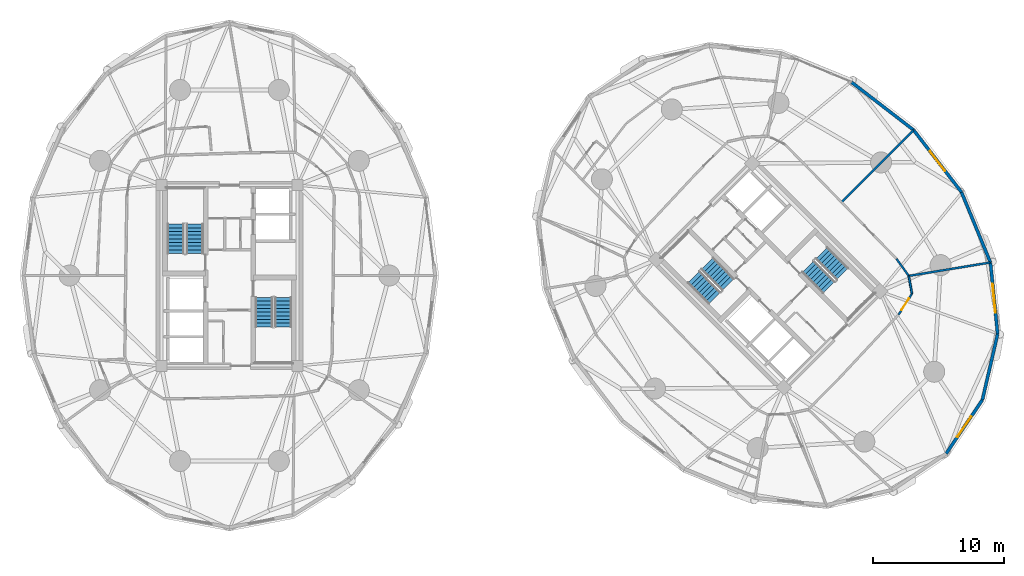
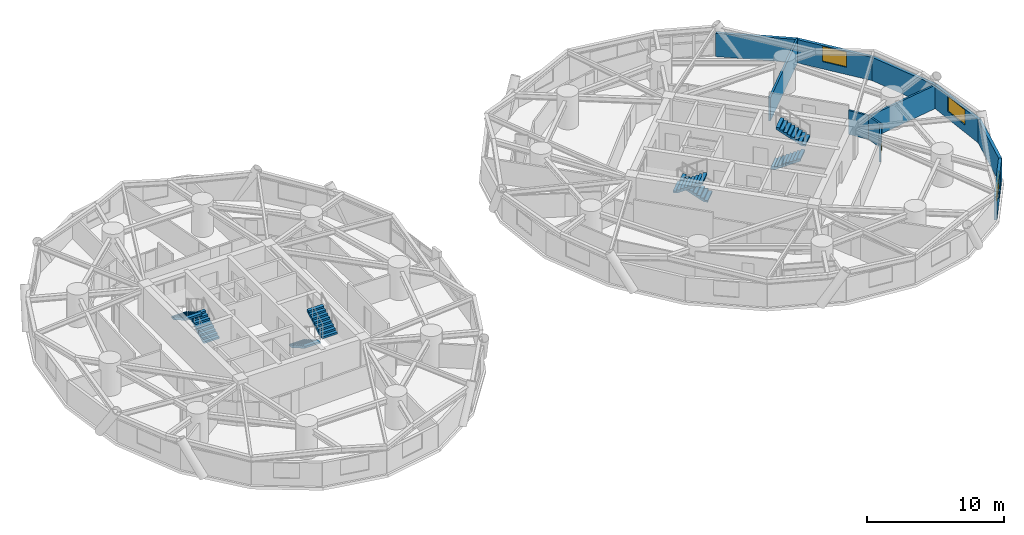
# One storey, part 14 of 16: 11 walls, 8 stair flights, 3 windows, 1 door, 4 openings, 4 elements without a shape of their own.
"""IFC4 building model written with IfcOpenShell, lengths in metres."""

from ifc_helpers import new_model, si_unit, direction, frame, frame_2d, origin, place, context, subcontext, project, spatial, polyline, rectangle, outline, extrude, source, transform, mapped, material, layer, layer_set, type_object, element, fill, aggregate, save


model = new_model("IFC4")

# Units and contexts
model_context = context("Model", 3, precision=1e-05, world=origin(), true_north=direction((0.0, 1.0)))
body_context = subcontext(model_context, "Body", "Model", "MODEL_VIEW")
ifc_project = project(units=[si_unit("LENGTHUNIT", "METRE"), si_unit("AREAUNIT", "SQUARE_METRE"), si_unit("VOLUMEUNIT", "CUBIC_METRE"), si_unit("PLANEANGLEUNIT", "RADIAN"), si_unit("MASSUNIT", "GRAM", prefix="KILO")], contexts=[model_context])

# Site, building, storey
site_placement = place(None, origin())
site = spatial("IfcSite", under=ifc_project, at=site_placement, CompositionType="ELEMENT")
building_placement = place(site_placement, origin())
building = spatial("IfcBuilding", under=site, at=building_placement, Name="Cununo Teusaquillo Station Towers", CompositionType="ELEMENT")
storey_placement = place(building_placement, frame((0.0, 0.0, 62.739990234375)))
storey = spatial("IfcBuildingStorey", under=building, at=storey_placement, Name="L19", CompositionType="ELEMENT", Elevation=62.739990234375)

# Wall
ifc_material_1 = material(Name="Precast concrete C40/50", Category="concrete")
ifc_layer_1 = layer(ifc_material_1, 0.239990234375)
ifc_layer_set_1 = layer_set([ifc_layer_1], Name="Precast concrete C40/50")
wall_type_1 = type_object("IfcWallType", Name="WL-EXT-240", PredefinedType="SOLIDWALL", material=ifc_layer_set_1)
wall_1_placement = place(storey_placement, frame((63.844482421875, 39.22216796875, 0.0), z_axis=(0.0, 0.0, 1.0), x_axis=(0.792014314407, -0.610502519057, 0.0)))
element("IfcWall", 1, at=wall_1_placement, inside=storey, type_object=wall_type_1, Name="L19 Tower B Exterior Facade Wall C00", PredefinedType="SOLIDWALL", context=body_context, shape_type="SweptSolid", body=[
    extrude(rectangle(XDim=5.973388671875, YDim=0.239990234375, at=frame_2d((2.98681640625, 0.0))), origin(), (0.0, 0.0, 1.0), 2.0791015625),
])

# Wall, opening, window
wall_2_placement = place(storey_placement, frame((73.814208984375, 15.030517578125, 0.0), z_axis=(0.0, 0.0, 1.0), x_axis=(-0.559638693991, -0.828736708604, 0.0)))
wall_2 = element("IfcWall", 2, at=wall_2_placement, inside=storey, type_object=wall_type_1, Name="L19 Tower B Exterior Facade Wall C15", PredefinedType="SOLIDWALL", context=body_context, shape_type="SweptSolid", body=[
    extrude(rectangle(XDim=4.929931640625, YDim=0.239990234375, at=frame_2d((2.46484375, 0.0))), origin(), (0.0, 0.0, 1.0), 2.0791015625),
])
shared_shape_1 = source(origin(), body_context, "Body", "SweptSolid", [
    extrude(rectangle(XDim=1.89990234375, YDim=1.35009765625, at=frame_2d((0.949951171875, 0.675048828125))), frame((0.0, 0.1298828125, 0.0), z_axis=(0.0, -1.0, 0.0), x_axis=(1.0, 0.0, 0.0)), (0.0, 0.0, 1.0), 0.260009765625),
])
opening_1_placement = place(wall_2_placement, frame((1.514892578125, 0.0, 0.64990234375)))
opening_1 = element("IfcOpeningElement", 3, at=opening_1_placement, cuts=wall_2, Name="Opening WN-02", PredefinedType="OPENING", context=body_context, shape_type="MappedRepresentation", body=[
    mapped(shared_shape_1, transform((0.0, 0.0, 0.0), x_axis=(1.0, 0.0, 0.0), y_axis=(0.0, 1.0, 0.0), z_axis=(0.0, 0.0, 1.0), scale=1.0)),
])
ifc_material_2 = material(Name="Operable acoustic tinted low-E double glazing", Category="glass")
window_type_1 = type_object("IfcWindowType", Name="WIN-OPER-1900", PartitioningType="DOUBLE_PANEL_VERTICAL", PredefinedType="WINDOW", material=ifc_material_2)
shared_shape_2 = source(origin(), body_context, "Body", "SweptSolid", [
    extrude(rectangle(XDim=1.89990234375, YDim=1.35009765625, at=frame_2d((0.949951171875, 0.675048828125))), frame((0.0, 0.030029296875, 0.0), z_axis=(0.0, -1.0, 0.0), x_axis=(1.0, 0.0, 0.0)), (0.0, 0.0, 1.0), 0.06005859375),
])
window_1_placement = place(opening_1_placement, origin())
window_1 = element("IfcWindow", 4, at=window_1_placement, inside=storey, type_object=window_type_1, Name="L19 Tower B Facade Window C15", OverallHeight=1.35009765625, OverallWidth=1.89990234375, PartitioningType="DOUBLE_PANEL_VERTICAL", PredefinedType="WINDOW", context=body_context, shape_type="MappedRepresentation", body=[
    mapped(shared_shape_2, transform((0.0, 0.0, 0.0), x_axis=(1.0, 0.0, 0.0), y_axis=(0.0, 1.0, 0.0), z_axis=(0.0, 0.0, 1.0), scale=1.0)),
])
fill(opening_1, window_1)

# Wall
wall_3_placement = place(storey_placement, frame((74.976318359375, 20.04345703125, 0.0), z_axis=(0.0, 0.0, 1.0), x_axis=(-0.225833060959, -0.974166016949, 0.0)))
element("IfcWall", 5, at=wall_3_placement, inside=storey, type_object=wall_type_1, Name="L19 Tower B Exterior Facade Wall C16", PredefinedType="SOLIDWALL", context=body_context, shape_type="SweptSolid", body=[
    extrude(rectangle(XDim=5.14599609375, YDim=0.239990234375, at=frame_2d((2.572998046875, 0.0))), origin(), (0.0, 0.0, 1.0), 2.0791015625),
])

# Wall, opening, window
wall_4_placement = place(storey_placement, frame((74.427734375, 25.49267578125, 0.0), z_axis=(0.0, 0.0, 1.0), x_axis=(0.100165739718, -0.994970765694, 0.0)))
wall_4 = element("IfcWall", 6, at=wall_4_placement, inside=storey, type_object=wall_type_1, Name="L19 Tower B Exterior Facade Wall C17", PredefinedType="SOLIDWALL", context=body_context, shape_type="SweptSolid", body=[
    extrude(rectangle(XDim=5.476806640625, YDim=0.239990234375, at=frame_2d((2.73828125, 0.0))), origin(), (0.0, 0.0, 1.0), 2.0791015625),
])
shared_shape_3 = source(origin(), body_context, "Body", "SweptSolid", [
    extrude(rectangle(XDim=2.199951171875, YDim=1.35009765625, at=frame_2d((1.10009765625, 0.675048828125))), frame((0.0, 0.1298828125, 0.0), z_axis=(0.0, -1.0, 0.0), x_axis=(1.0, 0.0, 0.0)), (0.0, 0.0, 1.0), 0.260009765625),
])
opening_2_placement = place(wall_4_placement, frame((1.637939453125, 0.0, 0.64990234375)))
opening_2 = element("IfcOpeningElement", 7, at=opening_2_placement, cuts=wall_4, Name="Opening WN-01", PredefinedType="OPENING", context=body_context, shape_type="MappedRepresentation", body=[
    mapped(shared_shape_3, transform((0.0, 0.0, 0.0), x_axis=(1.0, 0.0, 0.0), y_axis=(0.0, 1.0, 0.0), z_axis=(0.0, 0.0, 1.0), scale=1.0)),
])
ifc_material_3 = material(Name="Ceramic-fritted dark low-E double glazing", Category="glass")
window_type_2 = type_object("IfcWindowType", Name="WIN-FRIT-2200", PartitioningType="DOUBLE_PANEL_VERTICAL", PredefinedType="WINDOW", material=ifc_material_3)
shared_shape_4 = source(origin(), body_context, "Body", "SweptSolid", [
    extrude(rectangle(XDim=2.199951171875, YDim=1.35009765625, at=frame_2d((1.10009765625, 0.675048828125))), frame((0.0, 0.030029296875, 0.0), z_axis=(0.0, -1.0, 0.0), x_axis=(1.0, 0.0, 0.0)), (0.0, 0.0, 1.0), 0.06005859375),
])
window_2_placement = place(opening_2_placement, origin())
window_2 = element("IfcWindow", 8, at=window_2_placement, inside=storey, type_object=window_type_2, Name="L19 Tower B Facade Window C17", OverallHeight=1.35009765625, OverallWidth=2.199951171875, PartitioningType="DOUBLE_PANEL_VERTICAL", PredefinedType="WINDOW", context=body_context, shape_type="MappedRepresentation", body=[
    mapped(shared_shape_4, transform((0.0, 0.0, 0.0), x_axis=(1.0, 0.0, 0.0), y_axis=(0.0, 1.0, 0.0), z_axis=(0.0, 0.0, 1.0), scale=1.0)),
])
fill(opening_2, window_2)

# Wall
wall_5_placement = place(storey_placement, frame((72.22216796875, 30.844482421875, 0.0), z_axis=(0.0, 0.0, 1.0), x_axis=(0.381027682565, -0.924563629567, 0.0)))
element("IfcWall", 9, at=wall_5_placement, inside=storey, type_object=wall_type_1, Name="L19 Tower B Exterior Facade Wall C18", PredefinedType="SOLIDWALL", context=body_context, shape_type="SweptSolid", body=[
    extrude(rectangle(XDim=5.78857421875, YDim=0.239990234375, at=frame_2d((2.894287109375, 0.0))), origin(), (0.0, 0.0, 1.0), 2.0791015625),
])

# Wall, opening, window
wall_6_placement = place(storey_placement, frame((68.575439453125, 35.575439453125, 0.0), z_axis=(0.0, 0.0, 1.0), x_axis=(0.610502519057, -0.792014314407, 0.0)))
wall_6 = element("IfcWall", 10, at=wall_6_placement, inside=storey, type_object=wall_type_1, Name="L19 Tower B Exterior Facade Wall C19", PredefinedType="SOLIDWALL", context=body_context, shape_type="SweptSolid", body=[
    extrude(rectangle(XDim=5.973388671875, YDim=0.239990234375, at=frame_2d((2.98681640625, 0.0))), origin(), (0.0, 0.0, 1.0), 2.0791015625),
])
opening_3_placement = place(wall_6_placement, frame((2.037109375, 0.0, 0.64990234375)))
opening_3 = element("IfcOpeningElement", 11, at=opening_3_placement, cuts=wall_6, Name="Opening WN-02", PredefinedType="OPENING", context=body_context, shape_type="MappedRepresentation", body=[
    mapped(shared_shape_1, transform((0.0, 0.0, 0.0), x_axis=(1.0, 0.0, 0.0), y_axis=(0.0, 1.0, 0.0), z_axis=(0.0, 0.0, 1.0), scale=1.0)),
])
window_3_placement = place(opening_3_placement, origin())
window_3 = element("IfcWindow", 12, at=window_3_placement, inside=storey, type_object=window_type_1, Name="L19 Tower B Facade Window C19", OverallHeight=1.35009765625, OverallWidth=1.89990234375, PartitioningType="DOUBLE_PANEL_VERTICAL", PredefinedType="WINDOW", context=body_context, shape_type="MappedRepresentation", body=[
    mapped(shared_shape_2, transform((0.0, 0.0, 0.0), x_axis=(1.0, 0.0, 0.0), y_axis=(0.0, 1.0, 0.0), z_axis=(0.0, 0.0, 1.0), scale=1.0)),
])
fill(opening_3, window_3)

# Wall, opening, door
ifc_material_4 = material(Name="Fire-rated gypsum plasterboard partition assembly", Category="gypsum")
ifc_layer_2 = layer(ifc_material_4, 0.14990234375)
ifc_layer_set_2 = layer_set([ifc_layer_2], Name="Fire-rated gypsum plasterboard partition assembly")
wall_type_2 = type_object("IfcWallType", Name="WL-PART-150", PredefinedType="PARTITIONING", material=ifc_layer_set_2)
wall_7_placement = place(storey_placement, frame((67.4345703125, 21.521484375, 0.0), z_axis=(0.0, 0.0, 1.0), x_axis=(0.540777197838, 0.841165870859, 0.0)))
wall_7 = element("IfcWall", 13, at=wall_7_placement, inside=storey, type_object=wall_type_2, Name="L19 Tower B Corridor Ring Wall C16", PredefinedType="PARTITIONING", context=body_context, shape_type="SweptSolid", body=[
    extrude(rectangle(XDim=1.887939453125, YDim=0.14990234375, at=frame_2d((0.94384765625, 0.0))), origin(), (0.0, 0.0, 1.0), 2.125),
])
shared_shape_5 = source(origin(), body_context, "Body", "SweptSolid", [
    extrude(rectangle(XDim=1.050048828125, YDim=2.014892578125, at=frame_2d((0.52490234375, 1.00732421875))), frame((0.0, 0.0849609375, 0.0), z_axis=(0.0, -1.0, 0.0), x_axis=(1.0, 0.0, 0.0)), (0.0, 0.0, 1.0), 0.169921875),
])
opening_4_placement = place(wall_7_placement, frame((0.4189453125, 0.0, 0.0)))
opening_4 = element("IfcOpeningElement", 14, at=opening_4_placement, cuts=wall_7, Name="Opening D-SU1", PredefinedType="OPENING", context=body_context, shape_type="MappedRepresentation", body=[
    mapped(shared_shape_5, transform((0.0, 0.0, 0.0), x_axis=(1.0, 0.0, 0.0), y_axis=(0.0, 1.0, 0.0), z_axis=(0.0, 0.0, 1.0), scale=1.0)),
])
ifc_material_5 = material(Name="Acoustic solid-core hardwood leaf assembly", Category="wood")
door_type = type_object("IfcDoorType", Name="DR-SUITE-1050", OperationType="NOTDEFINED", PredefinedType="DOOR", material=ifc_material_5)
shared_shape_6 = source(origin(), body_context, "Body", "SweptSolid", [
    extrude(rectangle(XDim=1.050048828125, YDim=2.014892578125, at=frame_2d((0.52490234375, 1.00732421875))), frame((0.0, 0.02490234375, 0.0), z_axis=(0.0, -1.0, 0.0), x_axis=(1.0, 0.0, 0.0)), (0.0, 0.0, 1.0), 0.050048828125),
])
door_placement = place(opening_4_placement, origin())
door = element("IfcDoor", 15, at=door_placement, inside=storey, type_object=door_type, Name="L19 Tower B Hotel Housekeeping & Linen Pantry Entrance Door", OperationType="SINGLE_SWING_RIGHT", OverallHeight=2.014892578125, OverallWidth=1.050048828125, PredefinedType="DOOR", context=body_context, shape_type="MappedRepresentation", body=[
    mapped(shared_shape_6, transform((0.0, 0.0, 0.0), x_axis=(1.0, 0.0, 0.0), y_axis=(0.0, 1.0, 0.0), z_axis=(0.0, 0.0, 1.0), scale=1.0)),
])
fill(opening_4, door)

# Walls
wall_8_placement = place(storey_placement, frame((68.45556640625, 23.109619140625, 0.0), z_axis=(0.0, 0.0, 1.0), x_axis=(-0.1772522795, 0.984165448191, 0.0)))
element("IfcWall", 16, at=wall_8_placement, inside=storey, type_object=wall_type_2, Name="L19 Tower B Corridor Ring Wall C17", PredefinedType="PARTITIONING", context=body_context, shape_type="SweptSolid", body=[
    extrude(rectangle(XDim=1.381591796875, YDim=0.14990234375, at=frame_2d((0.69091796875, 0.0))), origin(), (0.0, 0.0, 1.0), 2.0791015625),
])
wall_9_placement = place(storey_placement, frame((68.210693359375, 24.46923828125, 0.0), z_axis=(0.0, 0.0, 1.0), x_axis=(-0.583012141368, 0.812463441034, 0.0)))
element("IfcWall", 17, at=wall_9_placement, inside=storey, type_object=wall_type_2, Name="L19 Tower B Corridor Ring Wall C18", PredefinedType="PARTITIONING", context=body_context, shape_type="SweptSolid", body=[
    extrude(rectangle(XDim=1.613037109375, YDim=0.14990234375, at=frame_2d((0.806640625, 0.0))), origin(), (0.0, 0.0, 1.0), 2.125),
])
ifc_material_6 = material(Name="Fire-rated gypsum plasterboard partition assembly", Category="gypsum")
ifc_layer_3 = layer(ifc_material_6, 0.159912109375)
ifc_layer_set_3 = layer_set([ifc_layer_3], Name="Fire-rated gypsum plasterboard partition assembly")
wall_type_3 = type_object("IfcWallType", Name="WL-PART-160", PredefinedType="PARTITIONING", material=ifc_layer_set_3)
wall_10_placement = place(storey_placement, frame((63.086181640625, 30.086181640625, 0.0), z_axis=(0.0, 0.0, 1.0), x_axis=(0.707106781187, 0.707106781187, 0.0)))
element("IfcWall", 18, at=wall_10_placement, inside=storey, type_object=wall_type_3, Name="L19 Tower B Radial Suite Partition R01", PredefinedType="PARTITIONING", context=body_context, shape_type="SweptSolid", body=[
    extrude(rectangle(XDim=7.742919921875, YDim=0.159912109375, at=frame_2d((3.87158203125, 0.0))), origin(), (0.0, 0.0, 1.0), 2.0791015625),
])
wall_11_placement = place(storey_placement, frame((68.210693359375, 24.46923828125, 0.0), z_axis=(0.0, 0.0, 1.0), x_axis=(0.986718695255, 0.162438346562, 0.0)))
element("IfcWall", 19, at=wall_11_placement, inside=storey, type_object=wall_type_3, Name="L19 Tower B Radial Suite Partition R07", PredefinedType="PARTITIONING", context=body_context, shape_type="SweptSolid", body=[
    extrude(rectangle(XDim=6.281005859375, YDim=0.159912109375, at=frame_2d((3.140625, 0.0))), origin(), (0.0, 0.0, 1.0), 2.0791015625),
])

# Stair, stair flights
ifc_material_7 = material(Name="Concrete C50/60", Category="concrete")
stair_type = type_object("IfcStairType", Name="ST-TWR-1300", PredefinedType="HALF_TURN_STAIR", material=ifc_material_7)
stair_1_placement = place(storey_placement, origin())
stair_1 = element("IfcStair", 20, at=stair_1_placement, inside=storey, type_object=stair_type, Name="L19 Tower A Protected Core Exit Stair 1", PredefinedType="HALF_TURN_STAIR")
ifc_material_8 = material(Name="Concrete C50/60", Category="concrete")
stair_flight_type = type_object("IfcStairFlightType", Name="SFL-TWR-1300", PredefinedType="STRAIGHT", material=ifc_material_8)
stair_flight_1_placement = place(storey_placement, frame((13.8701171875, 26.169921875, 0.0), z_axis=(0.0, 0.0, 1.0), x_axis=(0.0, 1.0, 0.0)))
stair_flight_1 = element("IfcStairFlight", 21, at=stair_flight_1_placement, type_object=stair_flight_type, Name="ST-T1-1 flight 1", NumberOfRisers=9, NumberOfTreads=8, PredefinedType="STRAIGHT", RiserHeight=0.161666667, TreadLength=0.28, context=body_context, shape_type="SweptSolid", body=[
    extrude(outline(polyline([(0.0, 0.0), (0.0, 0.16162109375), (0.280029296875, 0.16162109375), (0.280029296875, 0.3232421875), (0.56005859375, 0.3232421875), (0.56005859375, 0.485107421875), (0.840087890625, 0.485107421875), (0.840087890625, 0.646728515625), (1.1201171875, 0.646728515625), (1.1201171875, 0.808349609375), (1.39990234375, 0.808349609375), (1.39990234375, 0.969970703125), (1.679931640625, 0.969970703125), (1.679931640625, 1.131591796875), (1.9599609375, 1.131591796875), (1.9599609375, 1.293212890625), (2.239990234375, 1.293212890625), (2.239990234375, 1.455078125), (2.239990234375, 1.1201171875), (0.2998046875, 0.0), (0.0, 0.0)])), frame((0.0, 0.64990234375, 0.0), z_axis=(0.0, -1.0, 0.0), x_axis=(1.0, 0.0, 0.0)), (0.0, 0.0, 1.0), 1.300048828125),
])
stair_flight_2_placement = place(storey_placement, frame((12.409912109375, 28.409912109375, 1.455078125), z_axis=(0.0, 0.0, 1.0), x_axis=(0.0, -1.0, 0.0)))
stair_flight_2 = element("IfcStairFlight", 22, at=stair_flight_2_placement, type_object=stair_flight_type, Name="ST-T1-1 flight 2", NumberOfRisers=9, NumberOfTreads=8, PredefinedType="STRAIGHT", RiserHeight=0.161666667, TreadLength=0.28, context=body_context, shape_type="SweptSolid", body=[
    extrude(outline(polyline([(0.0, 0.0), (0.0, 0.16162109375), (0.280029296875, 0.16162109375), (0.280029296875, 0.3232421875), (0.56005859375, 0.3232421875), (0.56005859375, 0.485107421875), (0.840087890625, 0.485107421875), (0.840087890625, 0.646728515625), (1.1201171875, 0.646728515625), (1.1201171875, 0.808349609375), (1.39990234375, 0.808349609375), (1.39990234375, 0.969970703125), (1.679931640625, 0.969970703125), (1.679931640625, 1.131591796875), (1.9599609375, 1.131591796875), (1.9599609375, 1.293212890625), (2.239990234375, 1.293212890625), (2.239990234375, 1.455078125), (2.239990234375, 1.1201171875), (0.2998046875, 0.0), (0.0, 0.0)])), frame((0.0, 0.64990234375, 0.0), z_axis=(0.0, -1.0, 0.0), x_axis=(1.0, 0.0, 0.0)), (0.0, 0.0, 1.0), 1.300048828125),
])
aggregate(stair_1, [stair_flight_1, stair_flight_2])

stair_2_placement = place(storey_placement, origin())
stair_2 = element("IfcStair", 23, at=stair_2_placement, inside=storey, type_object=stair_type, Name="L19 Tower A Protected Core Exit Stair 2", PredefinedType="HALF_TURN_STAIR")
stair_flight_3_placement = place(storey_placement, frame((19.1298828125, 22.830078125, 0.0), z_axis=(0.0, 0.0, 1.0), x_axis=(0.0, -1.0, 0.0)))
stair_flight_3 = element("IfcStairFlight", 24, at=stair_flight_3_placement, type_object=stair_flight_type, Name="ST-T1-2 flight 1", NumberOfRisers=9, NumberOfTreads=8, PredefinedType="STRAIGHT", RiserHeight=0.161666667, TreadLength=0.28, context=body_context, shape_type="SweptSolid", body=[
    extrude(outline(polyline([(0.0, 0.0), (0.0, 0.16162109375), (0.280029296875, 0.16162109375), (0.280029296875, 0.3232421875), (0.56005859375, 0.3232421875), (0.56005859375, 0.485107421875), (0.840087890625, 0.485107421875), (0.840087890625, 0.646728515625), (1.1201171875, 0.646728515625), (1.1201171875, 0.808349609375), (1.39990234375, 0.808349609375), (1.39990234375, 0.969970703125), (1.679931640625, 0.969970703125), (1.679931640625, 1.131591796875), (1.9599609375, 1.131591796875), (1.9599609375, 1.293212890625), (2.239990234375, 1.293212890625), (2.239990234375, 1.455078125), (2.239990234375, 1.1201171875), (0.2998046875, 0.0), (0.0, 0.0)])), frame((0.0, 0.64990234375, 0.0), z_axis=(0.0, -1.0, 0.0), x_axis=(1.0, 0.0, 0.0)), (0.0, 0.0, 1.0), 1.300048828125),
])
stair_flight_4_placement = place(storey_placement, frame((20.590087890625, 20.590087890625, 1.455078125), z_axis=(0.0, 0.0, 1.0), x_axis=(0.0, 1.0, 0.0)))
stair_flight_4 = element("IfcStairFlight", 25, at=stair_flight_4_placement, type_object=stair_flight_type, Name="ST-T1-2 flight 2", NumberOfRisers=9, NumberOfTreads=8, PredefinedType="STRAIGHT", RiserHeight=0.161666667, TreadLength=0.28, context=body_context, shape_type="SweptSolid", body=[
    extrude(outline(polyline([(0.0, 0.0), (0.0, 0.16162109375), (0.280029296875, 0.16162109375), (0.280029296875, 0.3232421875), (0.56005859375, 0.3232421875), (0.56005859375, 0.485107421875), (0.840087890625, 0.485107421875), (0.840087890625, 0.646728515625), (1.1201171875, 0.646728515625), (1.1201171875, 0.808349609375), (1.39990234375, 0.808349609375), (1.39990234375, 0.969970703125), (1.679931640625, 0.969970703125), (1.679931640625, 1.131591796875), (1.9599609375, 1.131591796875), (1.9599609375, 1.293212890625), (2.239990234375, 1.293212890625), (2.239990234375, 1.455078125), (2.239990234375, 1.1201171875), (0.2998046875, 0.0), (0.0, 0.0)])), frame((0.0, 0.64990234375, 0.0), z_axis=(0.0, -1.0, 0.0), x_axis=(1.0, 0.0, 0.0)), (0.0, 0.0, 1.0), 1.300048828125),
])
aggregate(stair_2, [stair_flight_3, stair_flight_4])

stair_3_placement = place(storey_placement, origin())
stair_3 = element("IfcStair", 26, at=stair_3_placement, inside=storey, type_object=stair_type, Name="L19 Tower B Protected Core Exit Stair 1", PredefinedType="HALF_TURN_STAIR")
stair_flight_5_placement = place(storey_placement, frame((54.45947265625, 23.8212890625, 0.0), z_axis=(0.0, 0.0, 1.0), x_axis=(-0.707106781187, 0.707106781187, 0.0)))
stair_flight_5 = element("IfcStairFlight", 27, at=stair_flight_5_placement, type_object=stair_flight_type, Name="ST-T2-1 flight 1", NumberOfRisers=9, NumberOfTreads=8, PredefinedType="STRAIGHT", RiserHeight=0.161666667, TreadLength=0.28, context=body_context, shape_type="SweptSolid", body=[
    extrude(outline(polyline([(0.0, 0.0), (0.0, 0.16162109375), (0.280029296875, 0.16162109375), (0.280029296875, 0.3232421875), (0.56005859375, 0.3232421875), (0.56005859375, 0.485107421875), (0.840087890625, 0.485107421875), (0.840087890625, 0.646728515625), (1.1201171875, 0.646728515625), (1.1201171875, 0.808349609375), (1.39990234375, 0.808349609375), (1.39990234375, 0.969970703125), (1.679931640625, 0.969970703125), (1.679931640625, 1.131591796875), (1.9599609375, 1.131591796875), (1.9599609375, 1.293212890625), (2.239990234375, 1.293212890625), (2.239990234375, 1.455078125), (2.239990234375, 1.1201171875), (0.2998046875, 0.0), (0.0, 0.0)])), frame((0.0, 0.64990234375, 0.0), z_axis=(0.0, -1.0, 0.0), x_axis=(1.0, 0.0, 0.0)), (0.0, 0.0, 1.0), 1.300048828125),
])
stair_flight_6_placement = place(storey_placement, frame((51.84326171875, 24.372802734375, 1.455078125), z_axis=(0.0, 0.0, 1.0), x_axis=(0.707106781187, -0.707106781187, 0.0)))
stair_flight_6 = element("IfcStairFlight", 28, at=stair_flight_6_placement, type_object=stair_flight_type, Name="ST-T2-1 flight 2", NumberOfRisers=9, NumberOfTreads=8, PredefinedType="STRAIGHT", RiserHeight=0.161666667, TreadLength=0.28, context=body_context, shape_type="SweptSolid", body=[
    extrude(outline(polyline([(0.0, 0.0), (0.0, 0.16162109375), (0.280029296875, 0.16162109375), (0.280029296875, 0.3232421875), (0.56005859375, 0.3232421875), (0.56005859375, 0.485107421875), (0.840087890625, 0.485107421875), (0.840087890625, 0.646728515625), (1.1201171875, 0.646728515625), (1.1201171875, 0.808349609375), (1.39990234375, 0.808349609375), (1.39990234375, 0.969970703125), (1.679931640625, 0.969970703125), (1.679931640625, 1.131591796875), (1.9599609375, 1.131591796875), (1.9599609375, 1.293212890625), (2.239990234375, 1.293212890625), (2.239990234375, 1.455078125), (2.239990234375, 1.1201171875), (0.2998046875, 0.0), (0.0, 0.0)])), frame((0.0, 0.64990234375, 0.0), z_axis=(0.0, -1.0, 0.0), x_axis=(1.0, 0.0, 0.0)), (0.0, 0.0, 1.0), 1.300048828125),
])
aggregate(stair_3, [stair_flight_5, stair_flight_6])

stair_4_placement = place(storey_placement, origin())
stair_4 = element("IfcStair", 29, at=stair_4_placement, inside=storey, type_object=stair_type, Name="L19 Tower B Protected Core Exit Stair 2", PredefinedType="HALF_TURN_STAIR")
stair_flight_7_placement = place(storey_placement, frame((60.54052734375, 25.1787109375, 0.0), z_axis=(0.0, 0.0, 1.0), x_axis=(0.707106781187, -0.707106781187, 0.0)))
stair_flight_7 = element("IfcStairFlight", 30, at=stair_flight_7_placement, type_object=stair_flight_type, Name="ST-T2-2 flight 1", NumberOfRisers=9, NumberOfTreads=8, PredefinedType="STRAIGHT", RiserHeight=0.161666667, TreadLength=0.28, context=body_context, shape_type="SweptSolid", body=[
    extrude(outline(polyline([(0.0, 0.0), (0.0, 0.16162109375), (0.280029296875, 0.16162109375), (0.280029296875, 0.3232421875), (0.56005859375, 0.3232421875), (0.56005859375, 0.485107421875), (0.840087890625, 0.485107421875), (0.840087890625, 0.646728515625), (1.1201171875, 0.646728515625), (1.1201171875, 0.808349609375), (1.39990234375, 0.808349609375), (1.39990234375, 0.969970703125), (1.679931640625, 0.969970703125), (1.679931640625, 1.131591796875), (1.9599609375, 1.131591796875), (1.9599609375, 1.293212890625), (2.239990234375, 1.293212890625), (2.239990234375, 1.455078125), (2.239990234375, 1.1201171875), (0.2998046875, 0.0), (0.0, 0.0)])), frame((0.0, 0.64990234375, 0.0), z_axis=(0.0, -1.0, 0.0), x_axis=(1.0, 0.0, 0.0)), (0.0, 0.0, 1.0), 1.300048828125),
])
stair_flight_8_placement = place(storey_placement, frame((63.15673828125, 24.627197265625, 1.455078125), z_axis=(0.0, 0.0, 1.0), x_axis=(-0.707106781187, 0.707106781187, 0.0)))
stair_flight_8 = element("IfcStairFlight", 31, at=stair_flight_8_placement, type_object=stair_flight_type, Name="ST-T2-2 flight 2", NumberOfRisers=9, NumberOfTreads=8, PredefinedType="STRAIGHT", RiserHeight=0.161666667, TreadLength=0.28, context=body_context, shape_type="SweptSolid", body=[
    extrude(outline(polyline([(0.0, 0.0), (0.0, 0.16162109375), (0.280029296875, 0.16162109375), (0.280029296875, 0.3232421875), (0.56005859375, 0.3232421875), (0.56005859375, 0.485107421875), (0.840087890625, 0.485107421875), (0.840087890625, 0.646728515625), (1.1201171875, 0.646728515625), (1.1201171875, 0.808349609375), (1.39990234375, 0.808349609375), (1.39990234375, 0.969970703125), (1.679931640625, 0.969970703125), (1.679931640625, 1.131591796875), (1.9599609375, 1.131591796875), (1.9599609375, 1.293212890625), (2.239990234375, 1.293212890625), (2.239990234375, 1.455078125), (2.239990234375, 1.1201171875), (0.2998046875, 0.0), (0.0, 0.0)])), frame((0.0, 0.64990234375, 0.0), z_axis=(0.0, -1.0, 0.0), x_axis=(1.0, 0.0, 0.0)), (0.0, 0.0, 1.0), 1.300048828125),
])
aggregate(stair_4, [stair_flight_7, stair_flight_8])

save(model, "model.ifc")
